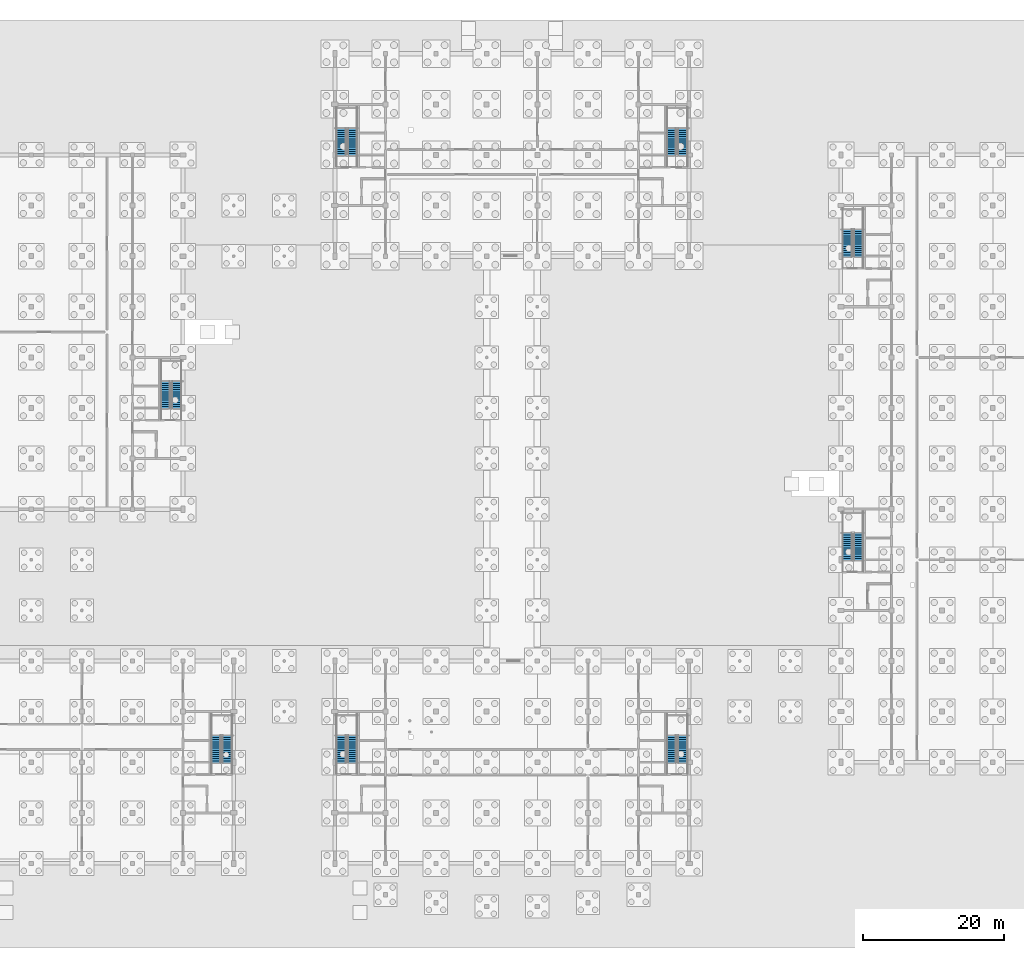
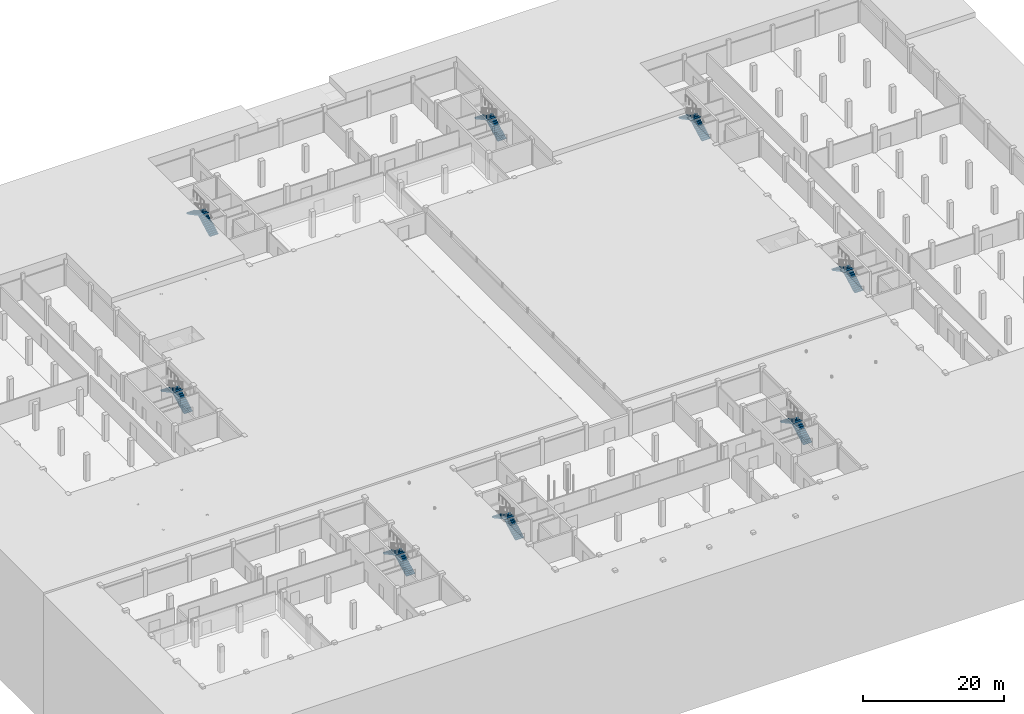
# One storey, part 36 of 51: 16 stair flights, 8 elements without a shape of their own.
"""IFC4 building model written with IfcOpenShell, lengths in metres."""

import ifcopenshell
import ifcopenshell.guid

model = None  # the IFC model being written
_history = None  # IfcOwnerHistory: only IFC2X3 demands one
_inside = {}  # id of a spatial element -> (the spatial element, [elements in it])
_under = {}  # id of a project, library or spatial element -> (it, [spatial elements below it])
_declared = {}  # id of a project -> (the project, [libraries it declares])
_typed = {}  # id of a type object -> (the type object, [elements of that type])
_made_of = {}  # id of a material, layer set ... -> (it, [elements and type objects made of it])


def new_model(schema):
    """Start an empty IFC model of exactly this schema.

    Asked for "IFC4X3", IfcOpenShell would pick the latest addendum, in which some entities
    have other attributes; the version numbers below select the first issue.
    IFC2X3 requires an IfcOwnerHistory on every rooted entity: one is made here for all.
    """
    global model, _history
    if schema == "IFC4X3":
        model = ifcopenshell.file(schema_version=(4, 3, 0, 0))
    else:
        model = ifcopenshell.file(schema=schema)
    _inside.clear()
    _under.clear()
    _declared.clear()
    _typed.clear()
    _made_of.clear()
    _history = None
    if model.schema == "IFC2X3":
        org = make("IfcOrganization", Name="unknown")
        user = make(
            "IfcPersonAndOrganization",
            ThePerson=make("IfcPerson", FamilyName="unknown"),
            TheOrganization=org,
        )
        app = make(
            "IfcApplication",
            ApplicationDeveloper=org,
            Version="unknown",
            ApplicationFullName="unknown",
            ApplicationIdentifier="unknown",
        )
        _history = make(
            "IfcOwnerHistory",
            OwningUser=user,
            OwningApplication=app,
            ChangeAction="ADDED",
            CreationDate=0,
        )
    return model


def make(cls, **values):
    """One entity of the class cls with the attributes given. An attribute that is None is left unset."""
    return model.create_entity(
        cls, **{name: value for name, value in values.items() if value is not None}
    )


def rooted(cls, **values):
    """An entity with a GlobalId (a new one), such as an element, a storey or a relation."""
    return make(cls, GlobalId=ifcopenshell.guid.new(), OwnerHistory=_history, **values)


def si_unit(unit_type, name, prefix=None):
    """IfcSIUnit, for example si_unit("LENGTHUNIT", "METRE", prefix="MILLI")."""
    return make("IfcSIUnit", UnitType=unit_type, Prefix=prefix, Name=name)


def assignment(units):
    """IfcUnitAssignment: the units of a project."""
    return None if units is None else make("IfcUnitAssignment", Units=units)


def point(xyz):
    """IfcCartesianPoint."""
    return None if xyz is None else make("IfcCartesianPoint", Coordinates=xyz)


def direction(xyz):
    """IfcDirection."""
    return None if xyz is None else make("IfcDirection", DirectionRatios=xyz)


def frame(location, z_axis=None, x_axis=None):
    """IfcAxis2Placement3D, a coordinate frame: its origin and axes. An axis left out is left unset."""
    return make(
        "IfcAxis2Placement3D",
        Location=point(location),
        Axis=direction(z_axis),
        RefDirection=direction(x_axis),
    )


def origin():
    """The frame at (0, 0, 0) with its axes left unset."""
    return frame((0.0, 0.0, 0.0))


def place(relative_to, where):
    """IfcLocalPlacement: puts the frame where relative to a parent placement (None: the world)."""
    return make(
        "IfcLocalPlacement", PlacementRelTo=relative_to, RelativePlacement=where
    )


def context(
    kind, dimensions, precision=None, world=None, true_north=None, identifier=None
):
    """IfcGeometricRepresentationContext, for example the 3D "Model" context."""
    return make(
        "IfcGeometricRepresentationContext",
        ContextIdentifier=identifier,
        ContextType=kind,
        CoordinateSpaceDimension=dimensions,
        Precision=precision,
        WorldCoordinateSystem=world,
        TrueNorth=true_north,
    )


def subcontext(parent, identifier, kind, view, scale=None):
    """IfcGeometricRepresentationSubContext, for example "Body" below "Model"."""
    return make(
        "IfcGeometricRepresentationSubContext",
        ContextIdentifier=identifier,
        ContextType=kind,
        ParentContext=parent,
        TargetScale=scale,
        TargetView=view,
    )


def project(units=None, contexts=None):
    """IfcProject with its units and contexts."""
    return rooted(
        "IfcProject",
        Name="project",
        RepresentationContexts=contexts,
        UnitsInContext=assignment(units),
    )


def spatial(cls, under=None, at=None, **own):
    """A site, building, storey or space (cls), placed at a placement, below another one or the project."""
    s = rooted(cls, ObjectPlacement=at, **own)
    if under is not None:
        _under.setdefault(under.id(), (under, []))[1].append(s)
    return s


def polyline(points):
    """IfcPolyline through the points."""
    return make("IfcPolyline", Points=[point(p) for p in points])


def outline(outer, holes=None, kind="AREA"):
    """IfcArbitraryClosedProfileDef: a profile drawn as a closed curve; with holes, ...WithVoids."""
    if holes is None:
        return make("IfcArbitraryClosedProfileDef", ProfileType=kind, OuterCurve=outer)
    return make(
        "IfcArbitraryProfileDefWithVoids",
        ProfileType=kind,
        OuterCurve=outer,
        InnerCurves=holes,
    )


def extrude(swept, where, along, depth):
    """IfcExtrudedAreaSolid: the profile swept, set in the frame where, extruded along a direction by depth."""
    return make(
        "IfcExtrudedAreaSolid",
        SweptArea=swept,
        Position=where,
        ExtrudedDirection=direction(along),
        Depth=depth,
    )


def shape(context_of_items, identifier, shape_type, items):
    """IfcShapeRepresentation: the items that make up one representation, for example the "Body"."""
    return make(
        "IfcShapeRepresentation",
        ContextOfItems=context_of_items,
        RepresentationIdentifier=identifier,
        RepresentationType=shape_type,
        Items=items,
    )


def material(Name=None, Category=None):
    """IfcMaterial."""
    return make("IfcMaterial", Name=Name, Category=Category)


def made_of(thing, what):
    """Note that an element or type object is made of a material, layer set ...; save() writes the relation."""
    if what is not None:
        _made_of.setdefault(what.id(), (what, []))[1].append(thing)
    return thing


def type_object(cls, material=None, **own):
    """A type object (cls), such as IfcWallType, which elements share."""
    return made_of(rooted(cls, **own), material)


def element(
    cls,
    number,
    at=None,
    inside=None,
    cuts=None,
    type_object=None,
    material=None,
    context=None,
    identifier="Body",
    shape_type=None,
    held_by="IfcProductDefinitionShape",
    body=None,
    shapes=None,
    **own,
):
    """One element of the class cls, such as IfcWall. Its Tag is "e" and its number.

    at: its placement. inside: the storey or other place that contains it. cuts: it is an
    opening in that element (IfcRelVoidsElement). A single representation is given by context,
    identifier, shape_type and body (its items); several are given by shapes. held_by: the class
    of the entity that holds the representations. save() writes the other relations.
    """
    e = rooted(cls, Tag="e%d" % number, ObjectPlacement=at, **own)
    if body is not None:
        shapes = [shape(context, identifier, shape_type, body)]
    if shapes is not None:
        e.Representation = make(held_by, Representations=shapes)
    if inside is not None:
        _inside.setdefault(inside.id(), (inside, []))[1].append(e)
    if cuts is not None:
        rooted(
            "IfcRelVoidsElement", RelatingBuildingElement=cuts, RelatedOpeningElement=e
        )
    if type_object is not None:
        _typed.setdefault(type_object.id(), (type_object, []))[1].append(e)
    return made_of(e, material)


def aggregate(whole, parts):
    """IfcRelAggregates: a whole, such as a stair, and the parts it consists of."""
    return rooted("IfcRelAggregates", RelatingObject=whole, RelatedObjects=parts)


def save(model, path):
    """Write the relations noted so far, then the file.

    IfcRelAggregates (storeys below a building ...), IfcRelContainedInSpatialStructure (elements
    in a storey), IfcRelDefinesByType, IfcRelAssociatesMaterial and IfcRelDeclares: one each for
    every whole, place, type object, material and project.
    """
    for whole, parts in _under.values():
        aggregate(whole, parts)
    for where, things in _inside.values():
        rooted(
            "IfcRelContainedInSpatialStructure",
            RelatedElements=things,
            RelatingStructure=where,
        )
    for kind, things in _typed.values():
        rooted("IfcRelDefinesByType", RelatedObjects=things, RelatingType=kind)
    for what, things in _made_of.values():
        rooted("IfcRelAssociatesMaterial", RelatedObjects=things, RelatingMaterial=what)
    for by, libraries in _declared.values():
        rooted("IfcRelDeclares", RelatingContext=by, RelatedDefinitions=libraries)
    model.write(path)


model = new_model("IFC4")

# Units and contexts
model_context = context("Model", 3, precision=1e-05, world=origin(), true_north=direction((0.0, 1.0)))
body_context = subcontext(model_context, "Body", "Model", "MODEL_VIEW")
ifc_project = project(units=[si_unit("LENGTHUNIT", "METRE"), si_unit("AREAUNIT", "SQUARE_METRE"), si_unit("VOLUMEUNIT", "CUBIC_METRE"), si_unit("PLANEANGLEUNIT", "RADIAN"), si_unit("MASSUNIT", "GRAM", prefix="KILO")], contexts=[model_context])

# Site, building, storey
site_placement = place(None, origin())
site = spatial("IfcSite", under=ifc_project, at=site_placement, CompositionType="ELEMENT")
building_placement = place(site_placement, origin())
building = spatial("IfcBuilding", under=site, at=building_placement, Name="Zlatovets Crest Museum", CompositionType="ELEMENT")
storey_placement = place(building_placement, frame((0.0, 0.0, -4.5)))
storey = spatial("IfcBuildingStorey", under=building, at=storey_placement, Name="B1", CompositionType="ELEMENT", Elevation=-4.5)

# Stair, stair flights
ifc_material = material(Name="Concrete C35/45", Category="concrete")
stair_type_1 = type_object("IfcStairType", Name="Stair_ST1-28R", PredefinedType="HALF_TURN_STAIR", material=ifc_material)
stair_1_placement = place(storey_placement, origin())
stair_1 = element("IfcStair", 1, at=stair_1_placement, inside=storey, type_object=stair_type_1, Name="B1 Core C1 Escape Stair ST1", PredefinedType="HALF_TURN_STAIR")
stair_flight_type_1 = type_object("IfcStairFlightType", Name="Flight_ST1F-14R", PredefinedType="STRAIGHT", material=ifc_material)
stair_flight_1_placement = place(storey_placement, frame((60.10009765625, 100.699951171875, 0.0), z_axis=(0.0, 0.0, 1.0), x_axis=(0.0, 1.0, 0.0)))
stair_flight_1 = element("IfcStairFlight", 2, at=stair_flight_1_placement, type_object=stair_flight_type_1, Name="ST1 flight 1", NumberOfRisers=14, NumberOfTreads=13, PredefinedType="STRAIGHT", RiserHeight=0.160714286, TreadLength=0.3, context=body_context, shape_type="SweptSolid", body=[
    extrude(outline(polyline([(0.0, 0.0), (0.0, 0.16064453125), (0.300048828125, 0.16064453125), (0.300048828125, 0.321533203125), (0.60009765625, 0.321533203125), (0.60009765625, 0.482177734375), (0.89990234375, 0.482177734375), (0.89990234375, 0.642822265625), (1.199951171875, 0.642822265625), (1.199951171875, 0.803466796875), (1.5, 0.803466796875), (1.5, 0.96435546875), (1.800048828125, 0.96435546875), (1.800048828125, 1.125), (2.10009765625, 1.125), (2.10009765625, 1.28564453125), (2.39990234375, 1.28564453125), (2.39990234375, 1.446533203125), (2.699951171875, 1.446533203125), (2.699951171875, 1.607177734375), (3.0, 1.607177734375), (3.0, 1.767822265625), (3.300048828125, 1.767822265625), (3.300048828125, 1.928466796875), (3.60009765625, 1.928466796875), (3.60009765625, 2.08935546875), (3.89990234375, 2.08935546875), (3.89990234375, 2.25), (3.89990234375, 1.919189453125), (0.3173828125, 0.0), (0.0, 0.0)])), frame((0.0, 0.699951171875, 0.0), z_axis=(0.0, -1.0, 0.0), x_axis=(1.0, 0.0, 0.0)), (0.0, 0.0, 1.0), 1.39990234375),
])
stair_flight_2_placement = place(storey_placement, frame((58.5, 104.60009765625, 2.25), z_axis=(0.0, 0.0, 1.0), x_axis=(0.0, -1.0, 0.0)))
stair_flight_2 = element("IfcStairFlight", 3, at=stair_flight_2_placement, type_object=stair_flight_type_1, Name="ST1 flight 2", NumberOfRisers=14, NumberOfTreads=13, PredefinedType="STRAIGHT", RiserHeight=0.160714286, TreadLength=0.3, context=body_context, shape_type="SweptSolid", body=[
    extrude(outline(polyline([(0.0, 0.0), (0.0, 0.16064453125), (0.300048828125, 0.16064453125), (0.300048828125, 0.321533203125), (0.60009765625, 0.321533203125), (0.60009765625, 0.482177734375), (0.89990234375, 0.482177734375), (0.89990234375, 0.642822265625), (1.199951171875, 0.642822265625), (1.199951171875, 0.803466796875), (1.5, 0.803466796875), (1.5, 0.96435546875), (1.800048828125, 0.96435546875), (1.800048828125, 1.125), (2.10009765625, 1.125), (2.10009765625, 1.28564453125), (2.39990234375, 1.28564453125), (2.39990234375, 1.446533203125), (2.699951171875, 1.446533203125), (2.699951171875, 1.607177734375), (3.0, 1.607177734375), (3.0, 1.767822265625), (3.300048828125, 1.767822265625), (3.300048828125, 1.928466796875), (3.60009765625, 1.928466796875), (3.60009765625, 2.08935546875), (3.89990234375, 2.08935546875), (3.89990234375, 2.25), (3.89990234375, 1.919189453125), (0.3173828125, 0.0), (0.0, 0.0)])), frame((0.0, 0.699951171875, 0.0), z_axis=(0.0, -1.0, 0.0), x_axis=(1.0, 0.0, 0.0)), (0.0, 0.0, 1.0), 1.39990234375),
])
aggregate(stair_1, [stair_flight_1, stair_flight_2])

stair_type_2 = type_object("IfcStairType", Name="Stair_ST2-28R", PredefinedType="HALF_TURN_STAIR", material=ifc_material)
stair_2_placement = place(storey_placement, origin())
stair_2 = element("IfcStair", 4, at=stair_2_placement, inside=storey, type_object=stair_type_2, Name="B1 Core C2 Escape Stair ST2", PredefinedType="HALF_TURN_STAIR")
stair_flight_type_2 = type_object("IfcStairFlightType", Name="Flight_ST2F-14R", PredefinedType="STRAIGHT", material=ifc_material)
stair_flight_3_placement = place(storey_placement, frame((60.10009765625, 14.300048828125, 0.0), z_axis=(0.0, 0.0, 1.0), x_axis=(0.0, 1.0, 0.0)))
stair_flight_3 = element("IfcStairFlight", 5, at=stair_flight_3_placement, type_object=stair_flight_type_2, Name="ST2 flight 1", NumberOfRisers=14, NumberOfTreads=13, PredefinedType="STRAIGHT", RiserHeight=0.160714286, TreadLength=0.3, context=body_context, shape_type="SweptSolid", body=[
    extrude(outline(polyline([(0.0, 0.0), (0.0, 0.16064453125), (0.300048828125, 0.16064453125), (0.300048828125, 0.321533203125), (0.60009765625, 0.321533203125), (0.60009765625, 0.482177734375), (0.89990234375, 0.482177734375), (0.89990234375, 0.642822265625), (1.199951171875, 0.642822265625), (1.199951171875, 0.803466796875), (1.5, 0.803466796875), (1.5, 0.96435546875), (1.800048828125, 0.96435546875), (1.800048828125, 1.125), (2.10009765625, 1.125), (2.10009765625, 1.28564453125), (2.39990234375, 1.28564453125), (2.39990234375, 1.446533203125), (2.699951171875, 1.446533203125), (2.699951171875, 1.607177734375), (3.0, 1.607177734375), (3.0, 1.767822265625), (3.300048828125, 1.767822265625), (3.300048828125, 1.928466796875), (3.60009765625, 1.928466796875), (3.60009765625, 2.08935546875), (3.89990234375, 2.08935546875), (3.89990234375, 2.25), (3.89990234375, 1.919189453125), (0.3173828125, 0.0), (0.0, 0.0)])), frame((0.0, 0.699951171875, 0.0), z_axis=(0.0, -1.0, 0.0), x_axis=(1.0, 0.0, 0.0)), (0.0, 0.0, 1.0), 1.39990234375),
])
stair_flight_4_placement = place(storey_placement, frame((58.5, 18.199951171875, 2.25), z_axis=(0.0, 0.0, 1.0), x_axis=(0.0, -1.0, 0.0)))
stair_flight_4 = element("IfcStairFlight", 6, at=stair_flight_4_placement, type_object=stair_flight_type_2, Name="ST2 flight 2", NumberOfRisers=14, NumberOfTreads=13, PredefinedType="STRAIGHT", RiserHeight=0.160714286, TreadLength=0.3, context=body_context, shape_type="SweptSolid", body=[
    extrude(outline(polyline([(0.0, 0.0), (0.0, 0.16064453125), (0.300048828125, 0.16064453125), (0.300048828125, 0.321533203125), (0.60009765625, 0.321533203125), (0.60009765625, 0.482177734375), (0.89990234375, 0.482177734375), (0.89990234375, 0.642822265625), (1.199951171875, 0.642822265625), (1.199951171875, 0.803466796875), (1.5, 0.803466796875), (1.5, 0.96435546875), (1.800048828125, 0.96435546875), (1.800048828125, 1.125), (2.10009765625, 1.125), (2.10009765625, 1.28564453125), (2.39990234375, 1.28564453125), (2.39990234375, 1.446533203125), (2.699951171875, 1.446533203125), (2.699951171875, 1.607177734375), (3.0, 1.607177734375), (3.0, 1.767822265625), (3.300048828125, 1.767822265625), (3.300048828125, 1.928466796875), (3.60009765625, 1.928466796875), (3.60009765625, 2.08935546875), (3.89990234375, 2.08935546875), (3.89990234375, 2.25), (3.89990234375, 1.919189453125), (0.3173828125, 0.0), (0.0, 0.0)])), frame((0.0, 0.699951171875, 0.0), z_axis=(0.0, -1.0, 0.0), x_axis=(1.0, 0.0, 0.0)), (0.0, 0.0, 1.0), 1.39990234375),
])
aggregate(stair_2, [stair_flight_3, stair_flight_4])

stair_type_3 = type_object("IfcStairType", Name="Stair_ST3-28R", PredefinedType="HALF_TURN_STAIR", material=ifc_material)
stair_3_placement = place(storey_placement, origin())
stair_3 = element("IfcStair", 7, at=stair_3_placement, inside=storey, type_object=stair_type_3, Name="B1 Core C3 Escape Stair ST3", PredefinedType="HALF_TURN_STAIR")
stair_flight_type_3 = type_object("IfcStairFlightType", Name="Flight_ST3F-14R", PredefinedType="STRAIGHT", material=ifc_material)
stair_flight_5_placement = place(storey_placement, frame((42.300048828125, 14.300048828125, 0.0), z_axis=(0.0, 0.0, 1.0), x_axis=(0.0, 1.0, 0.0)))
stair_flight_5 = element("IfcStairFlight", 8, at=stair_flight_5_placement, type_object=stair_flight_type_3, Name="ST3 flight 1", NumberOfRisers=14, NumberOfTreads=13, PredefinedType="STRAIGHT", RiserHeight=0.160714286, TreadLength=0.3, context=body_context, shape_type="SweptSolid", body=[
    extrude(outline(polyline([(0.0, 0.0), (0.0, 0.16064453125), (0.300048828125, 0.16064453125), (0.300048828125, 0.321533203125), (0.60009765625, 0.321533203125), (0.60009765625, 0.482177734375), (0.89990234375, 0.482177734375), (0.89990234375, 0.642822265625), (1.199951171875, 0.642822265625), (1.199951171875, 0.803466796875), (1.5, 0.803466796875), (1.5, 0.96435546875), (1.800048828125, 0.96435546875), (1.800048828125, 1.125), (2.10009765625, 1.125), (2.10009765625, 1.28564453125), (2.39990234375, 1.28564453125), (2.39990234375, 1.446533203125), (2.699951171875, 1.446533203125), (2.699951171875, 1.607177734375), (3.0, 1.607177734375), (3.0, 1.767822265625), (3.300048828125, 1.767822265625), (3.300048828125, 1.928466796875), (3.60009765625, 1.928466796875), (3.60009765625, 2.08935546875), (3.89990234375, 2.08935546875), (3.89990234375, 2.25), (3.89990234375, 1.919189453125), (0.3173828125, 0.0), (0.0, 0.0)])), frame((0.0, 0.699951171875, 0.0), z_axis=(0.0, -1.0, 0.0), x_axis=(1.0, 0.0, 0.0)), (0.0, 0.0, 1.0), 1.39990234375),
])
stair_flight_6_placement = place(storey_placement, frame((40.699951171875, 18.199951171875, 2.25), z_axis=(0.0, 0.0, 1.0), x_axis=(0.0, -1.0, 0.0)))
stair_flight_6 = element("IfcStairFlight", 9, at=stair_flight_6_placement, type_object=stair_flight_type_3, Name="ST3 flight 2", NumberOfRisers=14, NumberOfTreads=13, PredefinedType="STRAIGHT", RiserHeight=0.160714286, TreadLength=0.3, context=body_context, shape_type="SweptSolid", body=[
    extrude(outline(polyline([(0.0, 0.0), (0.0, 0.16064453125), (0.300048828125, 0.16064453125), (0.300048828125, 0.321533203125), (0.60009765625, 0.321533203125), (0.60009765625, 0.482177734375), (0.89990234375, 0.482177734375), (0.89990234375, 0.642822265625), (1.199951171875, 0.642822265625), (1.199951171875, 0.803466796875), (1.5, 0.803466796875), (1.5, 0.96435546875), (1.800048828125, 0.96435546875), (1.800048828125, 1.125), (2.10009765625, 1.125), (2.10009765625, 1.28564453125), (2.39990234375, 1.28564453125), (2.39990234375, 1.446533203125), (2.699951171875, 1.446533203125), (2.699951171875, 1.607177734375), (3.0, 1.607177734375), (3.0, 1.767822265625), (3.300048828125, 1.767822265625), (3.300048828125, 1.928466796875), (3.60009765625, 1.928466796875), (3.60009765625, 2.08935546875), (3.89990234375, 2.08935546875), (3.89990234375, 2.25), (3.89990234375, 1.919189453125), (0.3173828125, 0.0), (0.0, 0.0)])), frame((0.0, 0.699951171875, 0.0), z_axis=(0.0, -1.0, 0.0), x_axis=(1.0, 0.0, 0.0)), (0.0, 0.0, 1.0), 1.39990234375),
])
aggregate(stair_3, [stair_flight_5, stair_flight_6])

stair_type_4 = type_object("IfcStairType", Name="Stair_ST4-28R", PredefinedType="HALF_TURN_STAIR", material=ifc_material)
stair_4_placement = place(storey_placement, origin())
stair_4 = element("IfcStair", 10, at=stair_4_placement, inside=storey, type_object=stair_type_4, Name="B1 Core C4 Escape Stair ST4", PredefinedType="HALF_TURN_STAIR")
stair_flight_type_4 = type_object("IfcStairFlightType", Name="Flight_ST4F-14R", PredefinedType="STRAIGHT", material=ifc_material)
stair_flight_7_placement = place(storey_placement, frame((35.10009765625, 64.699951171875, 0.0), z_axis=(0.0, 0.0, 1.0), x_axis=(0.0, 1.0, 0.0)))
stair_flight_7 = element("IfcStairFlight", 11, at=stair_flight_7_placement, type_object=stair_flight_type_4, Name="ST4 flight 1", NumberOfRisers=14, NumberOfTreads=13, PredefinedType="STRAIGHT", RiserHeight=0.160714286, TreadLength=0.3, context=body_context, shape_type="SweptSolid", body=[
    extrude(outline(polyline([(0.0, 0.0), (0.0, 0.16064453125), (0.300048828125, 0.16064453125), (0.300048828125, 0.321533203125), (0.60009765625, 0.321533203125), (0.60009765625, 0.482177734375), (0.89990234375, 0.482177734375), (0.89990234375, 0.642822265625), (1.199951171875, 0.642822265625), (1.199951171875, 0.803466796875), (1.5, 0.803466796875), (1.5, 0.96435546875), (1.800048828125, 0.96435546875), (1.800048828125, 1.125), (2.10009765625, 1.125), (2.10009765625, 1.28564453125), (2.39990234375, 1.28564453125), (2.39990234375, 1.446533203125), (2.699951171875, 1.446533203125), (2.699951171875, 1.607177734375), (3.0, 1.607177734375), (3.0, 1.767822265625), (3.300048828125, 1.767822265625), (3.300048828125, 1.928466796875), (3.60009765625, 1.928466796875), (3.60009765625, 2.08935546875), (3.89990234375, 2.08935546875), (3.89990234375, 2.25), (3.89990234375, 1.919189453125), (0.3173828125, 0.0), (0.0, 0.0)])), frame((0.0, 0.699951171875, 0.0), z_axis=(0.0, -1.0, 0.0), x_axis=(1.0, 0.0, 0.0)), (0.0, 0.0, 1.0), 1.39990234375),
])
stair_flight_8_placement = place(storey_placement, frame((33.5, 68.60009765625, 2.25), z_axis=(0.0, 0.0, 1.0), x_axis=(0.0, -1.0, 0.0)))
stair_flight_8 = element("IfcStairFlight", 12, at=stair_flight_8_placement, type_object=stair_flight_type_4, Name="ST4 flight 2", NumberOfRisers=14, NumberOfTreads=13, PredefinedType="STRAIGHT", RiserHeight=0.160714286, TreadLength=0.3, context=body_context, shape_type="SweptSolid", body=[
    extrude(outline(polyline([(0.0, 0.0), (0.0, 0.16064453125), (0.300048828125, 0.16064453125), (0.300048828125, 0.321533203125), (0.60009765625, 0.321533203125), (0.60009765625, 0.482177734375), (0.89990234375, 0.482177734375), (0.89990234375, 0.642822265625), (1.199951171875, 0.642822265625), (1.199951171875, 0.803466796875), (1.5, 0.803466796875), (1.5, 0.96435546875), (1.800048828125, 0.96435546875), (1.800048828125, 1.125), (2.10009765625, 1.125), (2.10009765625, 1.28564453125), (2.39990234375, 1.28564453125), (2.39990234375, 1.446533203125), (2.699951171875, 1.446533203125), (2.699951171875, 1.607177734375), (3.0, 1.607177734375), (3.0, 1.767822265625), (3.300048828125, 1.767822265625), (3.300048828125, 1.928466796875), (3.60009765625, 1.928466796875), (3.60009765625, 2.08935546875), (3.89990234375, 2.08935546875), (3.89990234375, 2.25), (3.89990234375, 1.919189453125), (0.3173828125, 0.0), (0.0, 0.0)])), frame((0.0, 0.699951171875, 0.0), z_axis=(0.0, -1.0, 0.0), x_axis=(1.0, 0.0, 0.0)), (0.0, 0.0, 1.0), 1.39990234375),
])
aggregate(stair_4, [stair_flight_7, stair_flight_8])

stair_type_5 = type_object("IfcStairType", Name="Stair_ST5-28R", PredefinedType="HALF_TURN_STAIR", material=ifc_material)
stair_5_placement = place(storey_placement, origin())
stair_5 = element("IfcStair", 13, at=stair_5_placement, inside=storey, type_object=stair_type_5, Name="B1 Core C5 Escape Stair ST5", PredefinedType="HALF_TURN_STAIR")
stair_flight_type_5 = type_object("IfcStairFlightType", Name="Flight_ST5F-14R", PredefinedType="STRAIGHT", material=ifc_material)
stair_flight_9_placement = place(storey_placement, frame((132.10009765625, 43.10009765625, 0.0), z_axis=(0.0, 0.0, 1.0), x_axis=(0.0, 1.0, 0.0)))
stair_flight_9 = element("IfcStairFlight", 14, at=stair_flight_9_placement, type_object=stair_flight_type_5, Name="ST5 flight 1", NumberOfRisers=14, NumberOfTreads=13, PredefinedType="STRAIGHT", RiserHeight=0.160714286, TreadLength=0.3, context=body_context, shape_type="SweptSolid", body=[
    extrude(outline(polyline([(0.0, 0.0), (0.0, 0.16064453125), (0.300048828125, 0.16064453125), (0.300048828125, 0.321533203125), (0.60009765625, 0.321533203125), (0.60009765625, 0.482177734375), (0.89990234375, 0.482177734375), (0.89990234375, 0.642822265625), (1.199951171875, 0.642822265625), (1.199951171875, 0.803466796875), (1.5, 0.803466796875), (1.5, 0.96435546875), (1.800048828125, 0.96435546875), (1.800048828125, 1.125), (2.10009765625, 1.125), (2.10009765625, 1.28564453125), (2.39990234375, 1.28564453125), (2.39990234375, 1.446533203125), (2.699951171875, 1.446533203125), (2.699951171875, 1.607177734375), (3.0, 1.607177734375), (3.0, 1.767822265625), (3.300048828125, 1.767822265625), (3.300048828125, 1.928466796875), (3.60009765625, 1.928466796875), (3.60009765625, 2.08935546875), (3.89990234375, 2.08935546875), (3.89990234375, 2.25), (3.89990234375, 1.919189453125), (0.3173828125, 0.0), (0.0, 0.0)])), frame((0.0, 0.699951171875, 0.0), z_axis=(0.0, -1.0, 0.0), x_axis=(1.0, 0.0, 0.0)), (0.0, 0.0, 1.0), 1.39990234375),
])
stair_flight_10_placement = place(storey_placement, frame((130.5, 47.0, 2.25), z_axis=(0.0, 0.0, 1.0), x_axis=(0.0, -1.0, 0.0)))
stair_flight_10 = element("IfcStairFlight", 15, at=stair_flight_10_placement, type_object=stair_flight_type_5, Name="ST5 flight 2", NumberOfRisers=14, NumberOfTreads=13, PredefinedType="STRAIGHT", RiserHeight=0.160714286, TreadLength=0.3, context=body_context, shape_type="SweptSolid", body=[
    extrude(outline(polyline([(0.0, 0.0), (0.0, 0.16064453125), (0.300048828125, 0.16064453125), (0.300048828125, 0.321533203125), (0.60009765625, 0.321533203125), (0.60009765625, 0.482177734375), (0.89990234375, 0.482177734375), (0.89990234375, 0.642822265625), (1.199951171875, 0.642822265625), (1.199951171875, 0.803466796875), (1.5, 0.803466796875), (1.5, 0.96435546875), (1.800048828125, 0.96435546875), (1.800048828125, 1.125), (2.10009765625, 1.125), (2.10009765625, 1.28564453125), (2.39990234375, 1.28564453125), (2.39990234375, 1.446533203125), (2.699951171875, 1.446533203125), (2.699951171875, 1.607177734375), (3.0, 1.607177734375), (3.0, 1.767822265625), (3.300048828125, 1.767822265625), (3.300048828125, 1.928466796875), (3.60009765625, 1.928466796875), (3.60009765625, 2.08935546875), (3.89990234375, 2.08935546875), (3.89990234375, 2.25), (3.89990234375, 1.919189453125), (0.3173828125, 0.0), (0.0, 0.0)])), frame((0.0, 0.699951171875, 0.0), z_axis=(0.0, -1.0, 0.0), x_axis=(1.0, 0.0, 0.0)), (0.0, 0.0, 1.0), 1.39990234375),
])
aggregate(stair_5, [stair_flight_9, stair_flight_10])

stair_type_6 = type_object("IfcStairType", Name="Stair_ST7-28R", PredefinedType="HALF_TURN_STAIR", material=ifc_material)
stair_6_placement = place(storey_placement, origin())
stair_6 = element("IfcStair", 16, at=stair_6_placement, inside=storey, type_object=stair_type_6, Name="B1 Core C6 Escape Stair ST7", PredefinedType="HALF_TURN_STAIR")
stair_flight_type_6 = type_object("IfcStairFlightType", Name="Flight_ST7F-14R", PredefinedType="STRAIGHT", material=ifc_material)
stair_flight_11_placement = place(storey_placement, frame((107.10009765625, 100.699951171875, 0.0), z_axis=(0.0, 0.0, 1.0), x_axis=(0.0, 1.0, 0.0)))
stair_flight_11 = element("IfcStairFlight", 17, at=stair_flight_11_placement, type_object=stair_flight_type_6, Name="ST7 flight 1", NumberOfRisers=14, NumberOfTreads=13, PredefinedType="STRAIGHT", RiserHeight=0.160714286, TreadLength=0.3, context=body_context, shape_type="SweptSolid", body=[
    extrude(outline(polyline([(0.0, 0.0), (0.0, 0.16064453125), (0.300048828125, 0.16064453125), (0.300048828125, 0.321533203125), (0.60009765625, 0.321533203125), (0.60009765625, 0.482177734375), (0.89990234375, 0.482177734375), (0.89990234375, 0.642822265625), (1.199951171875, 0.642822265625), (1.199951171875, 0.803466796875), (1.5, 0.803466796875), (1.5, 0.96435546875), (1.800048828125, 0.96435546875), (1.800048828125, 1.125), (2.10009765625, 1.125), (2.10009765625, 1.28564453125), (2.39990234375, 1.28564453125), (2.39990234375, 1.446533203125), (2.699951171875, 1.446533203125), (2.699951171875, 1.607177734375), (3.0, 1.607177734375), (3.0, 1.767822265625), (3.300048828125, 1.767822265625), (3.300048828125, 1.928466796875), (3.60009765625, 1.928466796875), (3.60009765625, 2.08935546875), (3.89990234375, 2.08935546875), (3.89990234375, 2.25), (3.89990234375, 1.919189453125), (0.3173828125, 0.0), (0.0, 0.0)])), frame((0.0, 0.699951171875, 0.0), z_axis=(0.0, -1.0, 0.0), x_axis=(1.0, 0.0, 0.0)), (0.0, 0.0, 1.0), 1.39990234375),
])
stair_flight_12_placement = place(storey_placement, frame((105.5, 104.60009765625, 2.25), z_axis=(0.0, 0.0, 1.0), x_axis=(0.0, -1.0, 0.0)))
stair_flight_12 = element("IfcStairFlight", 18, at=stair_flight_12_placement, type_object=stair_flight_type_6, Name="ST7 flight 2", NumberOfRisers=14, NumberOfTreads=13, PredefinedType="STRAIGHT", RiserHeight=0.160714286, TreadLength=0.3, context=body_context, shape_type="SweptSolid", body=[
    extrude(outline(polyline([(0.0, 0.0), (0.0, 0.16064453125), (0.300048828125, 0.16064453125), (0.300048828125, 0.321533203125), (0.60009765625, 0.321533203125), (0.60009765625, 0.482177734375), (0.89990234375, 0.482177734375), (0.89990234375, 0.642822265625), (1.199951171875, 0.642822265625), (1.199951171875, 0.803466796875), (1.5, 0.803466796875), (1.5, 0.96435546875), (1.800048828125, 0.96435546875), (1.800048828125, 1.125), (2.10009765625, 1.125), (2.10009765625, 1.28564453125), (2.39990234375, 1.28564453125), (2.39990234375, 1.446533203125), (2.699951171875, 1.446533203125), (2.699951171875, 1.607177734375), (3.0, 1.607177734375), (3.0, 1.767822265625), (3.300048828125, 1.767822265625), (3.300048828125, 1.928466796875), (3.60009765625, 1.928466796875), (3.60009765625, 2.08935546875), (3.89990234375, 2.08935546875), (3.89990234375, 2.25), (3.89990234375, 1.919189453125), (0.3173828125, 0.0), (0.0, 0.0)])), frame((0.0, 0.699951171875, 0.0), z_axis=(0.0, -1.0, 0.0), x_axis=(1.0, 0.0, 0.0)), (0.0, 0.0, 1.0), 1.39990234375),
])
aggregate(stair_6, [stair_flight_11, stair_flight_12])

stair_type_7 = type_object("IfcStairType", Name="Stair_ST8-28R", PredefinedType="HALF_TURN_STAIR", material=ifc_material)
stair_7_placement = place(storey_placement, origin())
stair_7 = element("IfcStair", 19, at=stair_7_placement, inside=storey, type_object=stair_type_7, Name="B1 Core C7 Escape Stair ST8", PredefinedType="HALF_TURN_STAIR")
stair_flight_type_7 = type_object("IfcStairFlightType", Name="Flight_ST8F-14R", PredefinedType="STRAIGHT", material=ifc_material)
stair_flight_13_placement = place(storey_placement, frame((132.10009765625, 86.300048828125, 0.0), z_axis=(0.0, 0.0, 1.0), x_axis=(0.0, 1.0, 0.0)))
stair_flight_13 = element("IfcStairFlight", 20, at=stair_flight_13_placement, type_object=stair_flight_type_7, Name="ST8 flight 1", NumberOfRisers=14, NumberOfTreads=13, PredefinedType="STRAIGHT", RiserHeight=0.160714286, TreadLength=0.3, context=body_context, shape_type="SweptSolid", body=[
    extrude(outline(polyline([(0.0, 0.0), (0.0, 0.16064453125), (0.300048828125, 0.16064453125), (0.300048828125, 0.321533203125), (0.60009765625, 0.321533203125), (0.60009765625, 0.482177734375), (0.89990234375, 0.482177734375), (0.89990234375, 0.642822265625), (1.199951171875, 0.642822265625), (1.199951171875, 0.803466796875), (1.5, 0.803466796875), (1.5, 0.96435546875), (1.800048828125, 0.96435546875), (1.800048828125, 1.125), (2.10009765625, 1.125), (2.10009765625, 1.28564453125), (2.39990234375, 1.28564453125), (2.39990234375, 1.446533203125), (2.699951171875, 1.446533203125), (2.699951171875, 1.607177734375), (3.0, 1.607177734375), (3.0, 1.767822265625), (3.300048828125, 1.767822265625), (3.300048828125, 1.928466796875), (3.60009765625, 1.928466796875), (3.60009765625, 2.08935546875), (3.89990234375, 2.08935546875), (3.89990234375, 2.25), (3.89990234375, 1.919189453125), (0.3173828125, 0.0), (0.0, 0.0)])), frame((0.0, 0.699951171875, 0.0), z_axis=(0.0, -1.0, 0.0), x_axis=(1.0, 0.0, 0.0)), (0.0, 0.0, 1.0), 1.39990234375),
])
stair_flight_14_placement = place(storey_placement, frame((130.5, 90.199951171875, 2.25), z_axis=(0.0, 0.0, 1.0), x_axis=(0.0, -1.0, 0.0)))
stair_flight_14 = element("IfcStairFlight", 21, at=stair_flight_14_placement, type_object=stair_flight_type_7, Name="ST8 flight 2", NumberOfRisers=14, NumberOfTreads=13, PredefinedType="STRAIGHT", RiserHeight=0.160714286, TreadLength=0.3, context=body_context, shape_type="SweptSolid", body=[
    extrude(outline(polyline([(0.0, 0.0), (0.0, 0.16064453125), (0.300048828125, 0.16064453125), (0.300048828125, 0.321533203125), (0.60009765625, 0.321533203125), (0.60009765625, 0.482177734375), (0.89990234375, 0.482177734375), (0.89990234375, 0.642822265625), (1.199951171875, 0.642822265625), (1.199951171875, 0.803466796875), (1.5, 0.803466796875), (1.5, 0.96435546875), (1.800048828125, 0.96435546875), (1.800048828125, 1.125), (2.10009765625, 1.125), (2.10009765625, 1.28564453125), (2.39990234375, 1.28564453125), (2.39990234375, 1.446533203125), (2.699951171875, 1.446533203125), (2.699951171875, 1.607177734375), (3.0, 1.607177734375), (3.0, 1.767822265625), (3.300048828125, 1.767822265625), (3.300048828125, 1.928466796875), (3.60009765625, 1.928466796875), (3.60009765625, 2.08935546875), (3.89990234375, 2.08935546875), (3.89990234375, 2.25), (3.89990234375, 1.919189453125), (0.3173828125, 0.0), (0.0, 0.0)])), frame((0.0, 0.699951171875, 0.0), z_axis=(0.0, -1.0, 0.0), x_axis=(1.0, 0.0, 0.0)), (0.0, 0.0, 1.0), 1.39990234375),
])
aggregate(stair_7, [stair_flight_13, stair_flight_14])

stair_type_8 = type_object("IfcStairType", Name="Stair_ST9-28R", PredefinedType="HALF_TURN_STAIR", material=ifc_material)
stair_8_placement = place(storey_placement, origin())
stair_8 = element("IfcStair", 22, at=stair_8_placement, inside=storey, type_object=stair_type_8, Name="B1 Core C8 Escape Stair ST9", PredefinedType="HALF_TURN_STAIR")
stair_flight_type_8 = type_object("IfcStairFlightType", Name="Flight_ST9F-14R", PredefinedType="STRAIGHT", material=ifc_material)
stair_flight_15_placement = place(storey_placement, frame((107.10009765625, 14.300048828125, 0.0), z_axis=(0.0, 0.0, 1.0), x_axis=(0.0, 1.0, 0.0)))
stair_flight_15 = element("IfcStairFlight", 23, at=stair_flight_15_placement, type_object=stair_flight_type_8, Name="ST9 flight 1", NumberOfRisers=14, NumberOfTreads=13, PredefinedType="STRAIGHT", RiserHeight=0.160714286, TreadLength=0.3, context=body_context, shape_type="SweptSolid", body=[
    extrude(outline(polyline([(0.0, 0.0), (0.0, 0.16064453125), (0.300048828125, 0.16064453125), (0.300048828125, 0.321533203125), (0.60009765625, 0.321533203125), (0.60009765625, 0.482177734375), (0.89990234375, 0.482177734375), (0.89990234375, 0.642822265625), (1.199951171875, 0.642822265625), (1.199951171875, 0.803466796875), (1.5, 0.803466796875), (1.5, 0.96435546875), (1.800048828125, 0.96435546875), (1.800048828125, 1.125), (2.10009765625, 1.125), (2.10009765625, 1.28564453125), (2.39990234375, 1.28564453125), (2.39990234375, 1.446533203125), (2.699951171875, 1.446533203125), (2.699951171875, 1.607177734375), (3.0, 1.607177734375), (3.0, 1.767822265625), (3.300048828125, 1.767822265625), (3.300048828125, 1.928466796875), (3.60009765625, 1.928466796875), (3.60009765625, 2.08935546875), (3.89990234375, 2.08935546875), (3.89990234375, 2.25), (3.89990234375, 1.919189453125), (0.3173828125, 0.0), (0.0, 0.0)])), frame((0.0, 0.699951171875, 0.0), z_axis=(0.0, -1.0, 0.0), x_axis=(1.0, 0.0, 0.0)), (0.0, 0.0, 1.0), 1.39990234375),
])
stair_flight_16_placement = place(storey_placement, frame((105.5, 18.199951171875, 2.25), z_axis=(0.0, 0.0, 1.0), x_axis=(0.0, -1.0, 0.0)))
stair_flight_16 = element("IfcStairFlight", 24, at=stair_flight_16_placement, type_object=stair_flight_type_8, Name="ST9 flight 2", NumberOfRisers=14, NumberOfTreads=13, PredefinedType="STRAIGHT", RiserHeight=0.160714286, TreadLength=0.3, context=body_context, shape_type="SweptSolid", body=[
    extrude(outline(polyline([(0.0, 0.0), (0.0, 0.16064453125), (0.300048828125, 0.16064453125), (0.300048828125, 0.321533203125), (0.60009765625, 0.321533203125), (0.60009765625, 0.482177734375), (0.89990234375, 0.482177734375), (0.89990234375, 0.642822265625), (1.199951171875, 0.642822265625), (1.199951171875, 0.803466796875), (1.5, 0.803466796875), (1.5, 0.96435546875), (1.800048828125, 0.96435546875), (1.800048828125, 1.125), (2.10009765625, 1.125), (2.10009765625, 1.28564453125), (2.39990234375, 1.28564453125), (2.39990234375, 1.446533203125), (2.699951171875, 1.446533203125), (2.699951171875, 1.607177734375), (3.0, 1.607177734375), (3.0, 1.767822265625), (3.300048828125, 1.767822265625), (3.300048828125, 1.928466796875), (3.60009765625, 1.928466796875), (3.60009765625, 2.08935546875), (3.89990234375, 2.08935546875), (3.89990234375, 2.25), (3.89990234375, 1.919189453125), (0.3173828125, 0.0), (0.0, 0.0)])), frame((0.0, 0.699951171875, 0.0), z_axis=(0.0, -1.0, 0.0), x_axis=(1.0, 0.0, 0.0)), (0.0, 0.0, 1.0), 1.39990234375),
])
aggregate(stair_8, [stair_flight_15, stair_flight_16])

save(model, "model.ifc")
